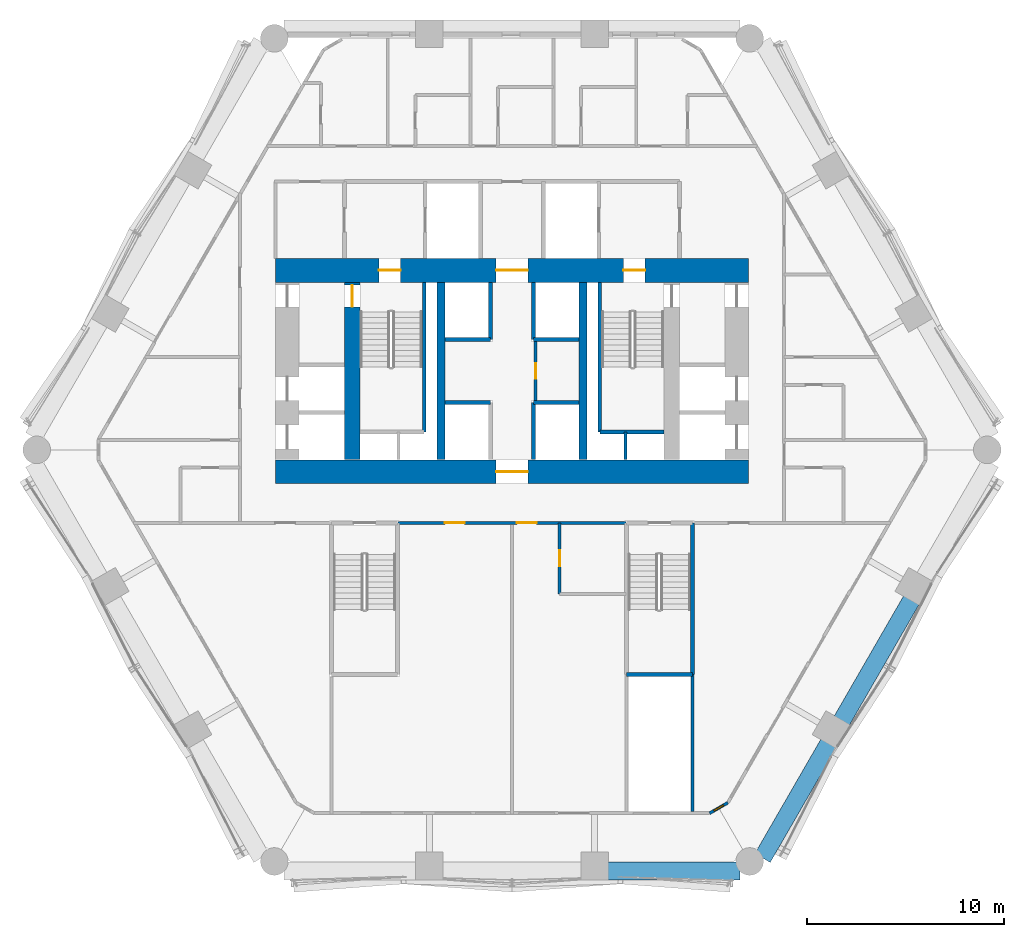
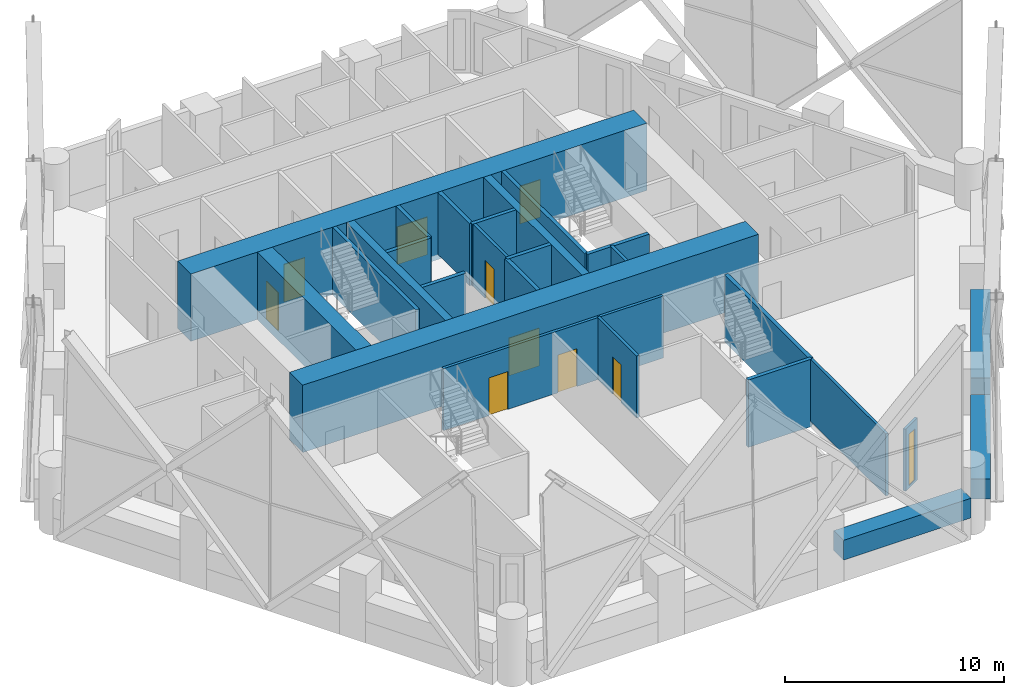
# One storey, part 12 of 22: 26 walls, 9 doors, 1 window, 10 openings.
"""IFC4 building model written with IfcOpenShell, lengths in metres."""

from ifc_helpers import new_model, si_unit, direction, frame, frame_2d, origin, place, context, subcontext, project, spatial, rectangle, extrude, material, layer, layer_set, type_object, element, fill, save


model = new_model("IFC4")

# Units and contexts
model_context = context("Model", 3, precision=1e-05, world=origin(), true_north=direction((0.0, 1.0)))
body_context = subcontext(model_context, "Body", "Model", "MODEL_VIEW")
ifc_project = project(units=[si_unit("LENGTHUNIT", "METRE"), si_unit("AREAUNIT", "SQUARE_METRE"), si_unit("VOLUMEUNIT", "CUBIC_METRE"), si_unit("PLANEANGLEUNIT", "RADIAN"), si_unit("MASSUNIT", "GRAM", prefix="KILO")], contexts=[model_context])

# Site, building, storey
site_placement = place(None, origin())
site = spatial("IfcSite", under=ifc_project, at=site_placement, CompositionType="ELEMENT")
building_placement = place(site_placement, origin())
building = spatial("IfcBuilding", under=site, at=building_placement, Name="Ostrander Bayou Hotel Tower", CompositionType="ELEMENT")
storey_placement = place(building_placement, frame((0.0, 0.0, 35.5)))
storey = spatial("IfcBuildingStorey", under=building, at=storey_placement, Name="L08", CompositionType="ELEMENT", Elevation=35.5)

# Wall, opening, door
ifc_material_1 = material(Name="Concrete f'c 70 MPa", Category="concrete")
ifc_layer_1 = layer(ifc_material_1, 1.199951171875)
ifc_layer_set_1 = layer_set([ifc_layer_1], Name="CW1 core wall 1200 mm f'c 70 MPa")
wall_type_1 = type_object("IfcWallType", Name="CW1 core wall 1200 mm f'c 70 MPa", PredefinedType="SHEAR", material=ifc_layer_set_1)
wall_1_placement = place(storey_placement, frame((-12.0, -1.10009765625, -0.300048828125), z_axis=(0.0, 0.0, 1.0), x_axis=(1.0, 0.0, 0.0)))
wall_1 = element("IfcWall", 1, at=wall_1_placement, inside=storey, type_object=wall_type_1, Name="CW1 L08 S", PredefinedType="SHEAR", context=body_context, shape_type="SweptSolid", body=[
    extrude(rectangle(XDim=24.0, YDim=1.199951171875, at=frame_2d((12.0, 0.0))), origin(), (0.0, 0.0, 1.0), 3.75),
])
opening_1_placement = place(wall_1_placement, frame((11.199951171875, 0.0, 0.0)))
opening_1 = element("IfcOpeningElement", 2, at=opening_1_placement, cuts=wall_1, Name="Opening T06-001", PredefinedType="OPENING", context=body_context, shape_type="SweptSolid", body=[
    extrude(rectangle(XDim=1.60009765625, YDim=2.10009765625, at=frame_2d((0.800048828125, 1.050048828125))), frame((0.0, 0.60009765625, 0.0), z_axis=(0.0, -1.0, 0.0), x_axis=(1.0, 0.0, 0.0)), (0.0, 0.0, 1.0), 1.199951171875),
])
ifc_material_2 = material(Name="Timber door leaf", Category="wood")
door_type_1 = type_object("IfcDoorType", Name="D13 double door 1600 x 2100 mm, 1 hour", OperationType="SINGLE_SWING_LEFT", PredefinedType="DOOR", material=ifc_material_2)
door_1_placement = place(opening_1_placement, origin())
door_1 = element("IfcDoor", 3, at=door_1_placement, inside=storey, type_object=door_type_1, Name="dr:L08:001", OperationType="DOUBLE_DOOR_SINGLE_SWING", OverallHeight=2.10009765625, OverallWidth=1.60009765625, PredefinedType="DOOR", context=body_context, shape_type="SweptSolid", body=[
    extrude(rectangle(XDim=1.60009765625, YDim=2.10009765625, at=frame_2d((0.800048828125, 1.050048828125))), frame((0.0, 0.02490234375, 0.0), z_axis=(0.0, -1.0, 0.0), x_axis=(1.0, 0.0, 0.0)), (0.0, 0.0, 1.0), 0.050048828125),
])
fill(opening_1, door_1)

# Wall, openings, doors
wall_2_placement = place(storey_placement, frame((-12.0, 9.10009765625, -0.300048828125), z_axis=(0.0, 0.0, 1.0), x_axis=(1.0, 0.0, 0.0)))
wall_2 = element("IfcWall", 4, at=wall_2_placement, inside=storey, type_object=wall_type_1, Name="CW1 L08 N", PredefinedType="SHEAR", context=body_context, shape_type="SweptSolid", body=[
    extrude(rectangle(XDim=24.0, YDim=1.199951171875, at=frame_2d((12.0, 0.0))), origin(), (0.0, 0.0, 1.0), 3.75),
])
opening_2_placement = place(wall_2_placement, frame((11.199951171875, 0.0, 0.0)))
opening_2 = element("IfcOpeningElement", 5, at=opening_2_placement, cuts=wall_2, Name="Opening T06-002", PredefinedType="OPENING", context=body_context, shape_type="SweptSolid", body=[
    extrude(rectangle(XDim=1.60009765625, YDim=2.10009765625, at=frame_2d((0.800048828125, 1.050048828125))), frame((0.0, 0.60009765625, 0.0), z_axis=(0.0, -1.0, 0.0), x_axis=(1.0, 0.0, 0.0)), (0.0, 0.0, 1.0), 1.199951171875),
])
opening_3_placement = place(wall_2_placement, frame((5.25, 0.0, 0.0)))
opening_3 = element("IfcOpeningElement", 6, at=opening_3_placement, cuts=wall_2, Name="Opening T06-003", PredefinedType="OPENING", context=body_context, shape_type="SweptSolid", body=[
    extrude(rectangle(XDim=1.10009765625, YDim=2.10009765625, at=frame_2d((0.550048828125, 1.050048828125))), frame((0.0, 0.60009765625, 0.0), z_axis=(0.0, -1.0, 0.0), x_axis=(1.0, 0.0, 0.0)), (0.0, 0.0, 1.0), 1.199951171875),
])
opening_4_placement = place(wall_2_placement, frame((17.64990234375, 0.0, 0.0)))
opening_4 = element("IfcOpeningElement", 7, at=opening_4_placement, cuts=wall_2, Name="Opening T06-005", PredefinedType="OPENING", context=body_context, shape_type="SweptSolid", body=[
    extrude(rectangle(XDim=1.10009765625, YDim=2.10009765625, at=frame_2d((0.550048828125, 1.050048828125))), frame((0.0, 0.60009765625, 0.0), z_axis=(0.0, -1.0, 0.0), x_axis=(1.0, 0.0, 0.0)), (0.0, 0.0, 1.0), 1.199951171875),
])
door_2_placement = place(opening_2_placement, origin())
door_2 = element("IfcDoor", 8, at=door_2_placement, inside=storey, type_object=door_type_1, Name="dr:L08:002", OperationType="DOUBLE_DOOR_SINGLE_SWING", OverallHeight=2.10009765625, OverallWidth=1.60009765625, PredefinedType="DOOR", context=body_context, shape_type="SweptSolid", body=[
    extrude(rectangle(XDim=1.60009765625, YDim=2.10009765625, at=frame_2d((0.800048828125, 1.050048828125))), frame((0.0, 0.02490234375, 0.0), z_axis=(0.0, -1.0, 0.0), x_axis=(1.0, 0.0, 0.0)), (0.0, 0.0, 1.0), 0.050048828125),
])
fill(opening_2, door_2)
ifc_material_3 = material(Name="Timber door leaf", Category="wood")
door_type_2 = type_object("IfcDoorType", Name="D5 stair door 1100 x 2100 mm, 90 minute", OperationType="SINGLE_SWING_LEFT", PredefinedType="DOOR", material=ifc_material_3)
door_3_placement = place(opening_3_placement, origin())
door_3 = element("IfcDoor", 9, at=door_3_placement, inside=storey, type_object=door_type_2, Name="dr:L08:003", OperationType="SINGLE_SWING_LEFT", OverallHeight=2.10009765625, OverallWidth=1.10009765625, PredefinedType="DOOR", context=body_context, shape_type="SweptSolid", body=[
    extrude(rectangle(XDim=1.10009765625, YDim=2.10009765625, at=frame_2d((0.550048828125, 1.050048828125))), frame((0.0, 0.02490234375, 0.0), z_axis=(0.0, -1.0, 0.0), x_axis=(1.0, 0.0, 0.0)), (0.0, 0.0, 1.0), 0.050048828125),
])
fill(opening_3, door_3)
door_4_placement = place(opening_4_placement, origin())
door_4 = element("IfcDoor", 10, at=door_4_placement, inside=storey, type_object=door_type_2, Name="dr:L08:005", OperationType="SINGLE_SWING_RIGHT", OverallHeight=2.10009765625, OverallWidth=1.10009765625, PredefinedType="DOOR", context=body_context, shape_type="SweptSolid", body=[
    extrude(rectangle(XDim=1.10009765625, YDim=2.10009765625, at=frame_2d((0.550048828125, 1.050048828125))), frame((0.0, 0.02490234375, 0.0), z_axis=(0.0, -1.0, 0.0), x_axis=(1.0, 0.0, 0.0)), (0.0, 0.0, 1.0), 0.050048828125),
])
fill(opening_4, door_4)

# Wall, opening, door
ifc_material_4 = material(Name="Concrete f'c 70 MPa", Category="concrete")
ifc_layer_2 = layer(ifc_material_4, 0.800048828125)
ifc_layer_set_2 = layer_set([ifc_layer_2], Name="CW2 core spine wall 800 mm f'c 70 MPa")
wall_type_2 = type_object("IfcWallType", Name="CW2 core spine wall 800 mm f'c 70 MPa", PredefinedType="SHEAR", material=ifc_layer_set_2)
wall_3_placement = place(storey_placement, frame((-8.10009765625, -0.5, -0.300048828125), z_axis=(0.0, 0.0, 1.0), x_axis=(0.0, 1.0, 0.0)))
wall_3 = element("IfcWall", 11, at=wall_3_placement, inside=storey, type_object=wall_type_2, Name="CW2 L08 W", PredefinedType="SHEAR", context=body_context, shape_type="SweptSolid", body=[
    extrude(rectangle(XDim=9.0, YDim=0.800048828125, at=frame_2d((4.5, 0.0))), origin(), (0.0, 0.0, 1.0), 3.75),
])
opening_5_placement = place(wall_3_placement, frame((7.75, 0.0, 0.0)))
opening_5 = element("IfcOpeningElement", 12, at=opening_5_placement, cuts=wall_3, Name="Opening T06-004", PredefinedType="OPENING", context=body_context, shape_type="SweptSolid", body=[
    extrude(rectangle(XDim=1.10009765625, YDim=2.10009765625, at=frame_2d((0.550048828125, 1.050048828125))), frame((0.0, 0.39990234375, 0.0), z_axis=(0.0, -1.0, 0.0), x_axis=(1.0, 0.0, 0.0)), (0.0, 0.0, 1.0), 0.800048828125),
])
door_5_placement = place(opening_5_placement, origin())
door_5 = element("IfcDoor", 13, at=door_5_placement, inside=storey, type_object=door_type_2, Name="dr:L08:004", OperationType="SINGLE_SWING_RIGHT", OverallHeight=2.10009765625, OverallWidth=1.10009765625, PredefinedType="DOOR", context=body_context, shape_type="SweptSolid", body=[
    extrude(rectangle(XDim=1.10009765625, YDim=2.10009765625, at=frame_2d((0.550048828125, 1.050048828125))), frame((0.0, 0.02490234375, 0.0), z_axis=(0.0, -1.0, 0.0), x_axis=(1.0, 0.0, 0.0)), (0.0, 0.0, 1.0), 0.050048828125),
])
fill(opening_5, door_5)

# Walls
ifc_material_5 = material(Name="Concrete f'c 70 MPa", Category="concrete")
ifc_layer_3 = layer(ifc_material_5, 0.39990234375)
ifc_layer_set_3 = layer_set([ifc_layer_3], Name="CW3 core bank wall 400 mm f'c 70 MPa")
wall_type_3 = type_object("IfcWallType", Name="CW3 core bank wall 400 mm f'c 70 MPa", PredefinedType="SHEAR", material=ifc_layer_set_3)
for number, where, z_axis, x_axis, name in (
    (14, (-3.60009765625, -0.5, -0.300048828125), (0.0, 0.0, 1.0), (0.0, 1.0, 0.0), "CW3 L08 CW"),
    (15, (3.60009765625, -0.5, -0.300048828125), (0.0, 0.0, 1.0), (0.0, 1.0, 0.0), "CW3 L08 CE"),
):
    element("IfcWall", number, at=place(storey_placement, frame(where, z_axis=z_axis, x_axis=x_axis)), inside=storey, type_object=wall_type_3, Name=name, PredefinedType="SHEAR", context=body_context, shape_type="SweptSolid", body=[
        extrude(rectangle(XDim=9.0, YDim=0.39990234375, at=frame_2d((4.5, 0.0))), origin(), (0.0, 0.0, 1.0), 3.75),
    ])

# Wall, opening, window
ifc_material_6 = material(Name="Aluminium framed insulated wall", Category="aluminium")
ifc_layer_4 = layer(ifc_material_6, 0.14990234375)
ifc_layer_set_4 = layer_set([ifc_layer_4], Name="GW1 glass-line wall 150 mm")
wall_type_4 = type_object("IfcWallType", Name="GW1 glass-line wall 150 mm", PredefinedType="SOLIDWALL", material=ifc_layer_set_4)
wall_4_placement = place(storey_placement, frame((10.022705078125, -18.425048828125, 0.0), z_axis=(0.0, 0.0, 1.0), x_axis=(0.866048165231, 0.499960573946, 0.0)))
wall_4 = element("IfcWall", 16, at=wall_4_placement, inside=storey, type_object=wall_type_4, Name="GW1 L08 corner 4", PredefinedType="SOLIDWALL", context=body_context, shape_type="SweptSolid", body=[
    extrude(rectangle(XDim=1.06494140625, YDim=0.14990234375, at=frame_2d((0.532470703125, 0.0))), origin(), (0.0, 0.0, 1.0), 3.449951171875),
])
opening_6_placement = place(wall_4_placement, frame((0.257568359375, 0.0, 0.14990234375)))
opening_6 = element("IfcOpeningElement", 17, at=opening_6_placement, cuts=wall_4, Name="Opening W19", PredefinedType="OPENING", context=body_context, shape_type="SweptSolid", body=[
    extrude(rectangle(XDim=0.550048828125, YDim=2.85009765625, at=frame_2d((0.27490234375, 1.425048828125))), frame((0.0, 0.074951171875, 0.0), z_axis=(0.0, -1.0, 0.0), x_axis=(1.0, 0.0, 0.0)), (0.0, 0.0, 1.0), 0.14990234375),
])
ifc_material_7 = material(Name="Aluminium and clear glass", Category="aluminium")
window_type = type_object("IfcWindowType", Name="W19 corner window 550 mm", PartitioningType="SINGLE_PANEL", PredefinedType="WINDOW", material=ifc_material_7)
window_placement = place(opening_6_placement, origin())
window = element("IfcWindow", 18, at=window_placement, inside=storey, type_object=window_type, Name="W19 L08 corner 4", OverallHeight=2.85009765625, OverallWidth=0.550048828125, PartitioningType="SINGLE_PANEL", PredefinedType="WINDOW", context=body_context, shape_type="SweptSolid", body=[
    extrude(rectangle(XDim=0.550048828125, YDim=2.85009765625, at=frame_2d((0.27490234375, 1.425048828125))), frame((0.0, 0.030029296875, 0.0), z_axis=(0.0, -1.0, 0.0), x_axis=(1.0, 0.0, 0.0)), (0.0, 0.0, 1.0), 0.06005859375),
])
fill(opening_6, window)

# Walls
ifc_material_8 = material(Name="Concrete f'c 40 MPa", Category="concrete")
ifc_layer_5 = layer(ifc_material_8, 0.89990234375)
ifc_layer_set_5 = layer_set([ifc_layer_5], Name="PA1 stone-faced parapet 900 mm")
wall_type_5 = type_object("IfcWallType", Name="PA1 stone-faced parapet 900 mm", PredefinedType="PARAPET", material=ifc_layer_set_5)
wall_5_placement = place(storey_placement, frame((4.865478515625, -21.35009765625, 0.0), z_axis=(0.0, 0.0, 1.0), x_axis=(1.0, 0.0, 0.0)))
element("IfcWall", 19, at=wall_5_placement, inside=storey, type_object=wall_type_5, Name="PA1 L08 S-3", PredefinedType="PARAPET", context=body_context, shape_type="SweptSolid", body=[
    extrude(rectangle(XDim=6.70361328125, YDim=0.89990234375, at=frame_2d((3.351806640625, 0.0))), origin(), (0.0, 0.0, 1.0), 1.10009765625),
])
ifc_material_9 = material(Name="Limestone masonry", Category="masonry")
ifc_layer_6 = layer(ifc_material_9, 0.89990234375)
ifc_layer_set_6 = layer_set([ifc_layer_6], Name="PA2 limestone parapet 900 mm")
wall_type_6 = type_object("IfcWallType", Name="PA2 limestone parapet 900 mm", PredefinedType="PARAPET", material=ifc_layer_set_6)
wall_6_placement = place(storey_placement, frame((12.705078125, -20.694091796875, 0.0), z_axis=(0.0, 0.0, 1.0), x_axis=(0.500005133765, 0.866022439784, 0.0)))
element("IfcWall", 20, at=wall_6_placement, inside=storey, type_object=wall_type_6, Name="PA2 L08 SE-1", PredefinedType="PARAPET", context=body_context, shape_type="SweptSolid", body=[
    extrude(rectangle(XDim=6.70361328125, YDim=0.89990234375, at=frame_2d((3.351806640625, 0.0))), origin(), (0.0, 0.0, 1.0), 1.10009765625),
])
wall_7_placement = place(storey_placement, frame((16.726806640625, -13.72802734375, 0.0), z_axis=(0.0, 0.0, 1.0), x_axis=(0.499997206141, 0.866027016814, 0.0)))
element("IfcWall", 21, at=wall_7_placement, inside=storey, type_object=wall_type_6, Name="PA2 L08 SE-2", PredefinedType="PARAPET", context=body_context, shape_type="SweptSolid", body=[
    extrude(rectangle(XDim=7.05078125, YDim=0.89990234375, at=frame_2d((3.525390625, 0.0))), origin(), (0.0, 0.0, 1.0), 1.10009765625),
])
ifc_material_10 = material(Name="Masonry block", Category="masonry")
ifc_layer_7 = layer(ifc_material_10, 0.199951171875)
ifc_layer_set_7 = layer_set([ifc_layer_7], Name="PT6 lift shaft wall 200 mm masonry, 2 hour")
wall_type_7 = type_object("IfcWallType", Name="PT6 lift shaft wall 200 mm masonry, 2 hour", PredefinedType="PARTITIONING", material=ifc_layer_set_7)
for number, where, z_axis, x_axis, name in (
    (22, (-3.39990234375, 2.39990234375, 0.0), (0.0, 0.0, 1.0), (1.0, 0.0, 0.0), "cs:L08:001"),
    (23, (-3.39990234375, 5.60009765625, 0.0), (0.0, 0.0, 1.0), (1.0, 0.0, 0.0), "cs:L08:002"),
    (24, (1.10009765625, 2.39990234375, 0.0), (0.0, 0.0, 1.0), (1.0, 0.0, 0.0), "cs:L08:003"),
    (25, (1.10009765625, 5.60009765625, 0.0), (0.0, 0.0, 1.0), (1.0, 0.0, 0.0), "cs:L08:004"),
):
    element("IfcWall", number, at=place(storey_placement, frame(where, z_axis=z_axis, x_axis=x_axis)), inside=storey, type_object=wall_type_7, Name=name, PredefinedType="PARTITIONING", context=body_context, shape_type="SweptSolid", body=[
        extrude(rectangle(XDim=2.2998046875, YDim=0.199951171875, at=frame_2d((1.14990234375, 0.0))), origin(), (0.0, 0.0, 1.0), 3.449951171875),
    ])
for number, where, z_axis, x_axis, name in (
    (26, (1.10009765625, -0.5, 0.0), (0.0, 0.0, 1.0), (0.0, 1.0, 0.0), "cs:L08:006"),
    (27, (-1.10009765625, 5.60009765625, 0.0), (0.0, 0.0, 1.0), (0.0, 1.0, 0.0), "cs:L08:007"),
    (28, (1.10009765625, 5.60009765625, 0.0), (0.0, 0.0, 1.0), (0.0, 1.0, 0.0), "cs:L08:008"),
):
    element("IfcWall", number, at=place(storey_placement, frame(where, z_axis=z_axis, x_axis=x_axis)), inside=storey, type_object=wall_type_7, Name=name, PredefinedType="PARTITIONING", context=body_context, shape_type="SweptSolid", body=[
        extrude(rectangle(XDim=2.89990234375, YDim=0.199951171875, at=frame_2d((1.449951171875, 0.0))), origin(), (0.0, 0.0, 1.0), 3.449951171875),
    ])
ifc_material_11 = material(Name="Gypsum board partition", Category="finish")
ifc_layer_8 = layer(ifc_material_11, 0.14990234375)
ifc_layer_set_8 = layer_set([ifc_layer_8], Name="PT7 riser wall 150 mm, 2 hour")
wall_type_8 = type_object("IfcWallType", Name="PT7 riser wall 150 mm, 2 hour", PredefinedType="PARTITIONING", material=ifc_layer_set_8)
wall_8_placement = place(storey_placement, frame((5.75, -0.5, 0.0), z_axis=(0.0, 0.0, 1.0), x_axis=(0.0, 1.0, 0.0)))
element("IfcWall", 29, at=wall_8_placement, inside=storey, type_object=wall_type_8, Name="cs:L08:014", PredefinedType="PARTITIONING", context=body_context, shape_type="SweptSolid", body=[
    extrude(rectangle(XDim=1.39990234375, YDim=0.14990234375, at=frame_2d((0.699951171875, 0.0))), origin(), (0.0, 0.0, 1.0), 3.449951171875),
])
wall_9_placement = place(storey_placement, frame((9.14990234375, -11.39990234375, 0.0), z_axis=(0.0, 0.0, 1.0), x_axis=(0.0, -1.0, 0.0)))
element("IfcWall", 30, at=wall_9_placement, inside=storey, type_object=wall_type_8, Name="cs:L08:020", PredefinedType="PARTITIONING", context=body_context, shape_type="SweptSolid", body=[
    extrude(rectangle(XDim=6.9501953125, YDim=0.14990234375, at=frame_2d((3.47509765625, 0.0))), origin(), (0.0, 0.0, 1.0), 3.449951171875),
])

# Wall, opening, door
wall_10_placement = place(storey_placement, frame((1.199951171875, 2.5, 0.0), z_axis=(0.0, 0.0, 1.0), x_axis=(0.0, 1.0, 0.0)))
wall_10 = element("IfcWall", 31, at=wall_10_placement, inside=storey, type_object=wall_type_8, Name="cs:L08:032", PredefinedType="PARTITIONING", context=body_context, shape_type="SweptSolid", body=[
    extrude(rectangle(XDim=3.0, YDim=0.14990234375, at=frame_2d((1.5, 0.0))), origin(), (0.0, 0.0, 1.0), 3.449951171875),
])
opening_7_placement = place(wall_10_placement, frame((1.10009765625, 0.0, 0.0)))
opening_7 = element("IfcOpeningElement", 32, at=opening_7_placement, cuts=wall_10, Name="Opening T06-014", PredefinedType="OPENING", context=body_context, shape_type="SweptSolid", body=[
    extrude(rectangle(XDim=0.800048828125, YDim=2.10009765625, at=frame_2d((0.39990234375, 1.050048828125))), frame((0.0, 0.074951171875, 0.0), z_axis=(0.0, -1.0, 0.0), x_axis=(1.0, 0.0, 0.0)), (0.0, 0.0, 1.0), 0.14990234375),
])
ifc_material_12 = material(Name="Timber door leaf", Category="wood")
door_type_3 = type_object("IfcDoorType", Name="D6 riser door 800 x 2100 mm, 90 minute", OperationType="SINGLE_SWING_LEFT", PredefinedType="DOOR", material=ifc_material_12)
door_6_placement = place(opening_7_placement, origin())
door_6 = element("IfcDoor", 33, at=door_6_placement, inside=storey, type_object=door_type_3, Name="dr:L08:014", OperationType="SINGLE_SWING_RIGHT", OverallHeight=2.10009765625, OverallWidth=0.800048828125, PredefinedType="DOOR", context=body_context, shape_type="SweptSolid", body=[
    extrude(rectangle(XDim=0.800048828125, YDim=2.10009765625, at=frame_2d((0.39990234375, 1.050048828125))), frame((0.0, 0.02490234375, 0.0), z_axis=(0.0, -1.0, 0.0), x_axis=(1.0, 0.0, 0.0)), (0.0, 0.0, 1.0), 0.050048828125),
])
fill(opening_7, door_6)

# Wall, openings, doors
ifc_material_13 = material(Name="Gypsum board partition", Category="finish")
ifc_layer_9 = layer(ifc_material_13, 0.14990234375)
ifc_layer_set_9 = layer_set([ifc_layer_9], Name="PT8 service band wall 150 mm, 1 hour")
wall_type_9 = type_object("IfcWallType", Name="PT8 service band wall 150 mm, 1 hour", PredefinedType="PARTITIONING", material=ifc_layer_set_9)
wall_11_placement = place(storey_placement, frame((-5.7900390625, -3.699951171875, 0.0), z_axis=(0.0, 0.0, 1.0), x_axis=(1.0, 0.0, 0.0)))
wall_11 = element("IfcWall", 34, at=wall_11_placement, inside=storey, type_object=wall_type_9, Name="gw:L08:003", PredefinedType="PARTITIONING", context=body_context, shape_type="SweptSolid", body=[
    extrude(rectangle(XDim=11.580078125, YDim=0.14990234375, at=frame_2d((5.7900390625, 0.0))), origin(), (0.0, 0.0, 1.0), 3.449951171875),
])
opening_8_placement = place(wall_11_placement, frame((2.389892578125, 0.0, 0.0)))
opening_8 = element("IfcOpeningElement", 35, at=opening_8_placement, cuts=wall_11, Name="Opening T06-400", PredefinedType="OPENING", context=body_context, shape_type="SweptSolid", body=[
    extrude(rectangle(XDim=1.0, YDim=2.10009765625, at=frame_2d((0.5, 1.050048828125))), frame((0.0, 0.074951171875, 0.0), z_axis=(0.0, -1.0, 0.0), x_axis=(1.0, 0.0, 0.0)), (0.0, 0.0, 1.0), 0.14990234375),
])
opening_9_placement = place(wall_11_placement, frame((6.0400390625, 0.0, 0.0)))
opening_9 = element("IfcOpeningElement", 36, at=opening_9_placement, cuts=wall_11, Name="Opening T06-402", PredefinedType="OPENING", context=body_context, shape_type="SweptSolid", body=[
    extrude(rectangle(XDim=1.0, YDim=2.10009765625, at=frame_2d((0.5, 1.050048828125))), frame((0.0, 0.074951171875, 0.0), z_axis=(0.0, -1.0, 0.0), x_axis=(1.0, 0.0, 0.0)), (0.0, 0.0, 1.0), 0.14990234375),
])
ifc_material_14 = material(Name="Timber door leaf", Category="wood")
door_type_4 = type_object("IfcDoorType", Name="D1 guest room door 1000 x 2100 mm, 30 minute", OperationType="SINGLE_SWING_LEFT", PredefinedType="DOOR", material=ifc_material_14)
door_7_placement = place(opening_9_placement, origin())
door_7 = element("IfcDoor", 37, at=door_7_placement, inside=storey, type_object=door_type_4, Name="dr:L08:402", OperationType="SINGLE_SWING_LEFT", OverallHeight=2.10009765625, OverallWidth=1.0, PredefinedType="DOOR", context=body_context, shape_type="SweptSolid", body=[
    extrude(rectangle(XDim=1.0, YDim=2.10009765625, at=frame_2d((0.5, 1.050048828125))), frame((0.0, 0.02490234375, 0.0), z_axis=(0.0, -1.0, 0.0), x_axis=(1.0, 0.0, 0.0)), (0.0, 0.0, 1.0), 0.050048828125),
])
fill(opening_9, door_7)
ifc_material_15 = material(Name="Timber door leaf", Category="wood")
door_type_5 = type_object("IfcDoorType", Name="D9 service door 1000 x 2100 mm, 30 minute", OperationType="SINGLE_SWING_LEFT", PredefinedType="DOOR", material=ifc_material_15)
door_8_placement = place(opening_8_placement, origin())
door_8 = element("IfcDoor", 38, at=door_8_placement, inside=storey, type_object=door_type_5, Name="dr:L08:400", OperationType="SINGLE_SWING_RIGHT", OverallHeight=2.10009765625, OverallWidth=1.0, PredefinedType="DOOR", context=body_context, shape_type="SweptSolid", body=[
    extrude(rectangle(XDim=1.0, YDim=2.10009765625, at=frame_2d((0.5, 1.050048828125))), frame((0.0, 0.02490234375, 0.0), z_axis=(0.0, -1.0, 0.0), x_axis=(1.0, 0.0, 0.0)), (0.0, 0.0, 1.0), 0.050048828125),
])
fill(opening_8, door_8)

# Wall, opening, door
wall_12_placement = place(storey_placement, frame((2.409912109375, -7.300048828125, 0.0), z_axis=(0.0, 0.0, 1.0), x_axis=(0.0, 1.0, 0.0)))
wall_12 = element("IfcWall", 39, at=wall_12_placement, inside=storey, type_object=wall_type_9, Name="gw:L08:028", PredefinedType="PARTITIONING", context=body_context, shape_type="SweptSolid", body=[
    extrude(rectangle(XDim=3.60009765625, YDim=0.14990234375, at=frame_2d((1.800048828125, 0.0))), origin(), (0.0, 0.0, 1.0), 3.449951171875),
])
opening_10_placement = place(wall_12_placement, frame((1.39990234375, 0.0, 0.0)))
opening_10 = element("IfcOpeningElement", 40, at=opening_10_placement, cuts=wall_12, Name="Opening T06-403", PredefinedType="OPENING", context=body_context, shape_type="SweptSolid", body=[
    extrude(rectangle(XDim=0.800048828125, YDim=2.10009765625, at=frame_2d((0.39990234375, 1.050048828125))), frame((0.0, 0.074951171875, 0.0), z_axis=(0.0, -1.0, 0.0), x_axis=(1.0, 0.0, 0.0)), (0.0, 0.0, 1.0), 0.14990234375),
])
ifc_material_16 = material(Name="Timber door leaf", Category="wood")
door_type_6 = type_object("IfcDoorType", Name="D2 bathroom door 800 x 2100 mm", OperationType="SINGLE_SWING_LEFT", PredefinedType="DOOR", material=ifc_material_16)
door_9_placement = place(opening_10_placement, origin())
door_9 = element("IfcDoor", 41, at=door_9_placement, inside=storey, type_object=door_type_6, Name="dr:L08:403", OperationType="SINGLE_SWING_RIGHT", OverallHeight=2.10009765625, OverallWidth=0.800048828125, PredefinedType="DOOR", context=body_context, shape_type="SweptSolid", body=[
    extrude(rectangle(XDim=0.800048828125, YDim=2.10009765625, at=frame_2d((0.39990234375, 1.050048828125))), frame((0.0, 0.02490234375, 0.0), z_axis=(0.0, -1.0, 0.0), x_axis=(1.0, 0.0, 0.0)), (0.0, 0.0, 1.0), 0.050048828125),
])
fill(opening_10, door_9)

# Walls
ifc_material_17 = material(Name="Concrete f'c 45 MPa", Category="concrete")
ifc_layer_10 = layer(ifc_material_17, 0.199951171875)
ifc_layer_set_10 = layer_set([ifc_layer_10], Name="SW5 stair enclosure wall 200 mm f'c 45 MPa")
wall_type_10 = type_object("IfcWallType", Name="SW5 stair enclosure wall 200 mm f'c 45 MPa", PredefinedType="SOLIDWALL", material=ifc_layer_set_10)
for number, where, z_axis, x_axis, name in (
    (42, (-4.449951171875, 0.89990234375, -0.300048828125), (0.0, 0.0, 1.0), (0.0, 1.0, 0.0), "cs:L08:009"),
    (43, (4.449951171875, 0.89990234375, -0.300048828125), (0.0, 0.0, 1.0), (0.0, 1.0, 0.0), "cs:L08:012"),
):
    element("IfcWall", number, at=place(storey_placement, frame(where, z_axis=z_axis, x_axis=x_axis)), inside=storey, type_object=wall_type_10, Name=name, PredefinedType="SOLIDWALL", context=body_context, shape_type="SweptSolid", body=[
        extrude(rectangle(XDim=7.60009765625, YDim=0.199951171875, at=frame_2d((3.800048828125, 0.0))), origin(), (0.0, 0.0, 1.0), 3.75),
    ])
wall_13_placement = place(storey_placement, frame((4.449951171875, 0.89990234375, -0.300048828125), z_axis=(0.0, 0.0, 1.0), x_axis=(1.0, 0.0, 0.0)))
element("IfcWall", 44, at=wall_13_placement, inside=storey, type_object=wall_type_10, Name="cs:L08:013", PredefinedType="SOLIDWALL", context=body_context, shape_type="SweptSolid", body=[
    extrude(rectangle(XDim=3.25, YDim=0.199951171875, at=frame_2d((1.625, 0.0))), origin(), (0.0, 0.0, 1.0), 3.75),
])
wall_14_placement = place(storey_placement, frame((9.14990234375, -3.699951171875, -0.300048828125), z_axis=(0.0, 0.0, 1.0), x_axis=(0.0, -1.0, 0.0)))
element("IfcWall", 45, at=wall_14_placement, inside=storey, type_object=wall_type_10, Name="cs:L08:017", PredefinedType="SOLIDWALL", context=body_context, shape_type="SweptSolid", body=[
    extrude(rectangle(XDim=7.699951171875, YDim=0.199951171875, at=frame_2d((3.85009765625, 0.0))), origin(), (0.0, 0.0, 1.0), 3.75),
])
wall_15_placement = place(storey_placement, frame((5.800048828125, -11.39990234375, -0.300048828125), z_axis=(0.0, 0.0, 1.0), x_axis=(1.0, 0.0, 0.0)))
element("IfcWall", 46, at=wall_15_placement, inside=storey, type_object=wall_type_10, Name="cs:L08:018", PredefinedType="SOLIDWALL", context=body_context, shape_type="SweptSolid", body=[
    extrude(rectangle(XDim=3.349853515625, YDim=0.199951171875, at=frame_2d((1.6748046875, 0.0))), origin(), (0.0, 0.0, 1.0), 3.75),
])

save(model, "model.ifc")
